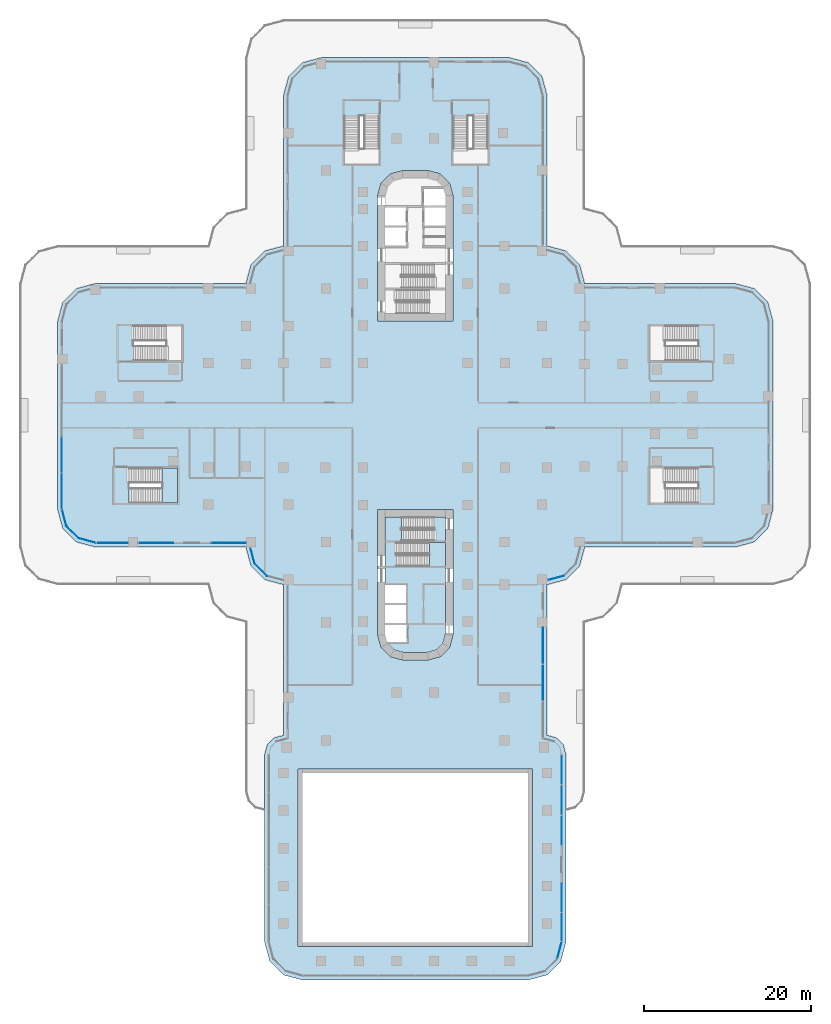
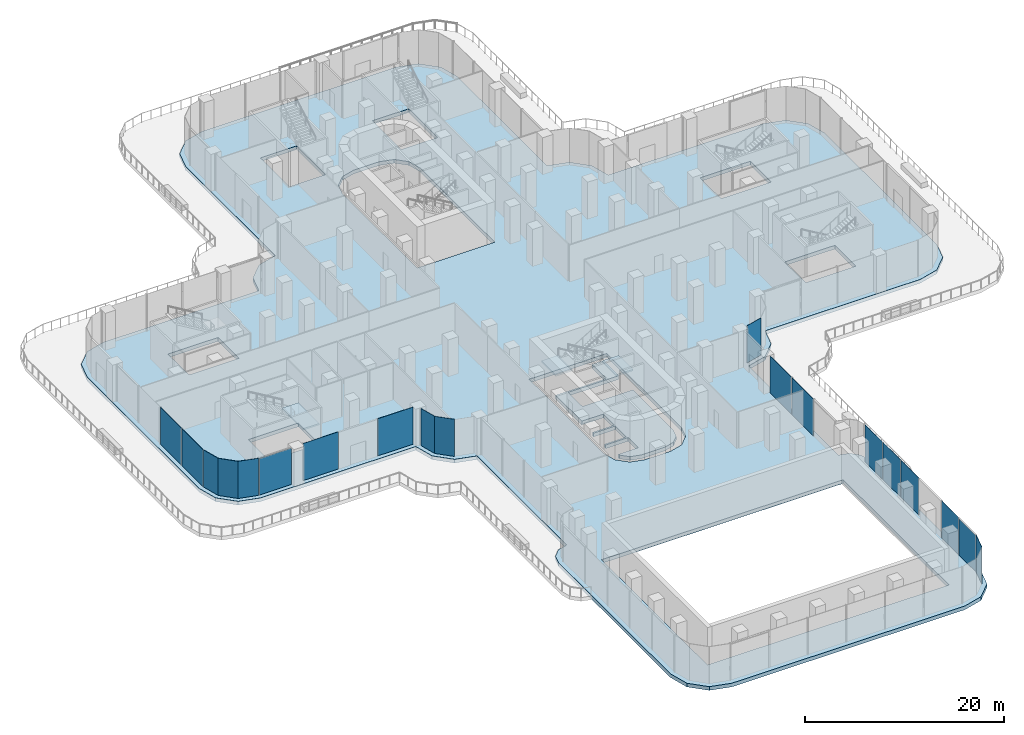
# One storey, part 11 of 27: 19 plates, 5 slabs, 14 elements without a shape of their own.
"""IFC4 building model written with IfcOpenShell, lengths in metres."""

from ifc_helpers import new_model, si_unit, direction, frame, origin, place, context, subcontext, project, spatial, polyline, outline, extrude, source, transform, mapped, material, layer, layer_set, type_object, element, aggregate, save


model = new_model("IFC4")

# Units and contexts
model_context = context("Model", 3, precision=1e-05, world=origin(), true_north=direction((0.0, 1.0)))
body_context = subcontext(model_context, "Body", "Model", "MODEL_VIEW")
ifc_project = project(units=[si_unit("LENGTHUNIT", "METRE"), si_unit("AREAUNIT", "SQUARE_METRE"), si_unit("VOLUMEUNIT", "CUBIC_METRE"), si_unit("PLANEANGLEUNIT", "RADIAN"), si_unit("MASSUNIT", "GRAM", prefix="KILO")], contexts=[model_context])

# Site, building, storey
site_placement = place(None, origin())
site = spatial("IfcSite", under=ifc_project, at=site_placement, CompositionType="ELEMENT")
building_placement = place(site_placement, origin())
building = spatial("IfcBuilding", under=site, at=building_placement, Name="Zarbagh Exchange Tower", CompositionType="ELEMENT")
storey_placement = place(building_placement, frame((0.0, 0.0, 17.0)))
storey = spatial("IfcBuildingStorey", under=building, at=storey_placement, Name="L03", CompositionType="ELEMENT", Elevation=17.0)

# Slabs
ifc_material_1 = material(Name="Concrete C50/60", Category="concrete")
ifc_layer_1 = layer(ifc_material_1, 0.449951171875)
ifc_layer_set_1 = layer_set([ifc_layer_1], Name="Core floor slab 450 C50/60")
slab_type_1 = type_object("IfcSlabType", Name="Core floor slab 450 C50/60", PredefinedType="FLOOR", material=ifc_layer_set_1)
slab_1_placement = place(storey_placement, frame((0.0, 0.0, -0.449951171875)))
element("IfcSlab", 1, at=slab_1_placement, inside=storey, type_object=slab_type_1, Name="S16 core S", PredefinedType="FLOOR", context=body_context, shape_type="SweptSolid", body=[
    extrude(outline(polyline([(-2.5341796875, -28.041259765625), (-3.291259765625, -27.2841796875), (-3.340576171875, -27.10009765625), (-1.0, -27.10009765625), (-1.0, -25.050048828125), (-3.60009765625, -25.050048828125), (-3.60009765625, -24.85009765625), (-1.10009765625, -24.85009765625), (-1.10009765625, -22.64990234375), (-3.60009765625, -22.64990234375), (-3.60009765625, -22.449951171875), (-1.10009765625, -22.449951171875), (-1.10009765625, -20.25), (-3.60009765625, -20.25), (-3.60009765625, -15.0), (2.25, -15.0), (2.25, -12.14990234375), (3.60009765625, -12.14990234375), (3.60009765625, -15.199951171875), (-2.25, -15.199951171875), (-2.25, -18.050048828125), (3.60009765625, -18.050048828125), (3.60009765625, -26.131591796875), (3.291259765625, -27.2841796875), (2.5341796875, -28.041259765625), (1.381591796875, -28.35009765625), (-1.381591796875, -28.35009765625), (-2.5341796875, -28.041259765625)])), origin(), (0.0, 0.0, 1.0), 0.449951171875),
])
ifc_layer_2 = layer(ifc_material_1, 0.449951171875)
ifc_layer_set_2 = layer_set([ifc_layer_2], Name="Flat slab 450 C50/60")
slab_type_2 = type_object("IfcSlabType", Name="Flat slab 450 C50/60", PredefinedType="FLOOR", material=ifc_layer_set_2)
slab_2_placement = place(storey_placement, frame((0.0, 0.0, -0.449951171875)))
element("IfcSlab", 2, at=slab_2_placement, inside=storey, type_object=slab_type_2, Name="S4 flat slab", PredefinedType="FLOOR", context=body_context, shape_type="SweptSolid", body=[
    extrude(outline(polyline([(15.75, -66.897216796875), (13.5, -67.5), (-13.5, -67.5), (-15.75, -66.897216796875), (-17.397216796875, -65.25), (-18.0, -63.0), (-18.0, -40.5), (-17.698486328125, -39.375), (-16.875, -38.551513671875), (-15.75, -38.25), (-15.75, -20.25), (-18.0, -19.647216796875), (-19.647216796875, -18.0), (-20.25, -15.75), (-38.25, -15.75), (-40.5, -15.147216796875), (-42.147216796875, -13.5), (-42.75, -11.25), (-42.75, 11.25), (-42.147216796875, 13.5), (-40.5, 15.147216796875), (-38.25, 15.75), (-20.25, 15.75), (-19.647216796875, 18.0), (-18.0, 19.647216796875), (-15.75, 20.25), (-15.75, 38.25), (-15.147216796875, 40.5), (-13.5, 42.147216796875), (-11.25, 42.75), (11.25, 42.75), (13.5, 42.147216796875), (15.147216796875, 40.5), (15.75, 38.25), (15.75, 20.25), (18.0, 19.647216796875), (19.647216796875, 18.0), (20.25, 15.75), (38.25, 15.75), (40.5, 15.147216796875), (42.147216796875, 13.5), (42.75, 11.25), (42.75, -11.25), (42.147216796875, -13.5), (40.5, -15.147216796875), (38.25, -15.75), (20.25, -15.75), (19.647216796875, -18.0), (18.0, -19.647216796875), (15.75, -20.25), (15.75, -38.25), (16.875, -38.551513671875), (17.698486328125, -39.375), (18.0, -40.5), (18.0, -63.0), (17.397216796875, -65.25), (15.75, -66.897216796875)]), holes=[polyline([(-14.0, -63.5), (14.0, -63.5), (14.0, -42.25), (-14.0, -42.25), (-14.0, -63.5)]), polyline([(4.5, 26.25), (4.09814453125, 27.75), (3.0, 28.84814453125), (1.5, 29.25), (-1.5, 29.25), (-3.0, 28.84814453125), (-4.09814453125, 27.75), (-4.5, 26.25), (-4.5, 11.25), (4.5, 11.25), (4.5, 26.25)]), polyline([(1.5, -29.25), (3.0, -28.84814453125), (4.09814453125, -27.75), (4.5, -26.25), (4.5, -11.25), (-4.5, -11.25), (-4.5, -26.25), (-4.09814453125, -27.75), (-3.0, -28.84814453125), (-1.5, -29.25), (1.5, -29.25)]), polyline([(-34.199951171875, -6.300048828125), (-34.199951171875, -10.5), (-28.39990234375, -10.5), (-28.39990234375, -6.300048828125), (-34.199951171875, -6.300048828125)]), polyline([(28.0, -10.5), (33.800048828125, -10.5), (33.800048828125, -6.300048828125), (28.0, -6.300048828125), (28.0, -10.5)]), polyline([(-27.89990234375, 10.699951171875), (-33.699951171875, 10.699951171875), (-33.699951171875, 6.5), (-27.89990234375, 6.5), (-27.89990234375, 10.699951171875)]), polyline([(33.800048828125, 6.5), (33.800048828125, 10.699951171875), (28.0, 10.699951171875), (28.0, 6.5), (33.800048828125, 6.5)]), polyline([(-4.300048828125, 30.0), (-4.300048828125, 35.800048828125), (-8.5, 35.800048828125), (-8.5, 30.0), (-4.300048828125, 30.0)]), polyline([(8.699951171875, 30.0), (8.699951171875, 35.800048828125), (4.5, 35.800048828125), (4.5, 30.0), (8.699951171875, 30.0)])]), origin(), (0.0, 0.0, 1.0), 0.449951171875),
])

# Stair, slab
ifc_material_2 = material(Name="Concrete C40/50", Category="concrete")
stair_type = type_object("IfcStairType", Name="Exit stair two-flight half-turn", PredefinedType="HALF_TURN_STAIR", material=ifc_material_2)
stair_1_placement = place(storey_placement, origin())
stair_1 = element("IfcStair", 3, at=stair_1_placement, inside=storey, type_object=stair_type, Name="exit stair ST3", PredefinedType="HALF_TURN_STAIR")
ifc_layer_3 = layer(ifc_material_2, 0.199951171875)
ifc_layer_set_3 = layer_set([ifc_layer_3], Name="Stair landing 200 mm")
slab_type_3 = type_object("IfcSlabType", Name="Stair landing 200 mm", PredefinedType="LANDING", material=ifc_layer_set_3)
slab_3_placement = place(storey_placement, frame((0.0, 0.0, 2.300048828125)))
slab_3 = element("IfcSlab", 4, at=slab_3_placement, type_object=slab_type_3, Name="ST3 landing 1", PredefinedType="LANDING", context=body_context, shape_type="SweptSolid", body=[
    extrude(outline(polyline([(1.669921875, -18.050048828125), (3.60009765625, -18.050048828125), (3.60009765625, -15.199951171875), (1.669921875, -15.199951171875), (1.669921875, -18.050048828125)])), origin(), (0.0, 0.0, 1.0), 0.199951171875),
])
aggregate(stair_1, [slab_3])

stair_2_placement = place(storey_placement, origin())
stair_2 = element("IfcStair", 5, at=stair_2_placement, inside=storey, type_object=stair_type, Name="exit stair ST4", PredefinedType="HALF_TURN_STAIR")
slab_4_placement = place(storey_placement, frame((0.0, 0.0, 2.300048828125)))
slab_4 = element("IfcSlab", 6, at=slab_4_placement, type_object=slab_type_3, Name="ST4 landing 1", PredefinedType="LANDING", context=body_context, shape_type="SweptSolid", body=[
    extrude(outline(polyline([(-1.669921875, -12.14990234375), (-3.60009765625, -12.14990234375), (-3.60009765625, -15.0), (-1.669921875, -15.0), (-1.669921875, -12.14990234375)])), origin(), (0.0, 0.0, 1.0), 0.199951171875),
])
aggregate(stair_2, [slab_4])

stair_3_placement = place(storey_placement, origin())
stair_3 = element("IfcStair", 7, at=stair_3_placement, inside=storey, type_object=stair_type, Name="exit stair PS4", PredefinedType="HALF_TURN_STAIR")
slab_5_placement = place(storey_placement, frame((0.0, 0.0, 2.300048828125)))
slab_5 = element("IfcSlab", 8, at=slab_5_placement, type_object=slab_type_3, Name="PS4 landing 1", PredefinedType="LANDING", context=body_context, shape_type="SweptSolid", body=[
    extrude(outline(polyline([(-30.280029296875, -10.5), (-28.39990234375, -10.5), (-28.39990234375, -6.300048828125), (-30.280029296875, -6.300048828125), (-30.280029296875, -10.5)])), origin(), (0.0, 0.0, 1.0), 0.199951171875),
])
aggregate(stair_3, [slab_5])

# Curtain wall, plate
ifc_material_3 = material(Name="Anodised aluminium frame and glazing", Category="aluminium")
curtain_wall_type_1 = type_object("IfcCurtainWallType", Name="CWD Exchange hall wall glazing", PredefinedType="NOTDEFINED", material=ifc_material_3)
curtain_wall_1_placement = place(storey_placement, origin())
curtain_wall_1 = element("IfcCurtainWall", 9, at=curtain_wall_1_placement, inside=storey, type_object=curtain_wall_type_1, Name="CWD03 curtain wall", PredefinedType="NOTDEFINED")
ifc_material_4 = material(Name="Low-e double glazed unit, 6+12+6 mm")
ifc_layer_4 = layer(ifc_material_4, 0.035888671875)
ifc_layer_set_4 = layer_set([ifc_layer_4], Name="PAD Glazing panel, Low-e double glazed unit, 6+12+6 mm")
plate_type_1 = type_object("IfcPlateType", Name="PAD Glazing panel, Low-e double glazed unit, 6+12+6 mm", PredefinedType="CURTAIN_PANEL", material=ifc_layer_set_4)
shared_shape_1 = source(origin(), body_context, "Body", "SweptSolid", [
    extrude(outline(polyline([(0.0, -0.01806640625), (2.129638671875, -0.01806640625), (2.129638671875, 0.01806640625), (0.0, 0.01806640625), (0.0, -0.01806640625)])), origin(), (0.0, 0.0, 1.0), 4.550048828125),
])
placement = place(storey_placement, origin())
plate_1 = element("IfcPlate", 10, at=placement, type_object=plate_type_1, Name="CWD03 glazing panel 1.1", PredefinedType="CURTAIN_PANEL", context=body_context, shape_type="MappedRepresentation", body=[
    mapped(shared_shape_1, transform((16.94873046875, -64.9912109375, 0.0), x_axis=(0.258824779902, 0.965924289636, 0.0), y_axis=(-0.965924289636, 0.258824779902, 0.0), z_axis=(0.0, 0.0, 1.0))),
])
aggregate(curtain_wall_1, [plate_1])

curtain_wall_type_2 = type_object("IfcCurtainWallType", Name="CWC Podium garden-wall glazing", PredefinedType="NOTDEFINED", material=ifc_material_3)
curtain_wall_2_placement = place(storey_placement, origin())
curtain_wall_2 = element("IfcCurtainWall", 11, at=curtain_wall_2_placement, inside=storey, type_object=curtain_wall_type_2, Name="CWC179 curtain wall", PredefinedType="NOTDEFINED")
ifc_layer_5 = layer(ifc_material_4, 0.031982421875)
ifc_layer_set_5 = layer_set([ifc_layer_5], Name="PAC Glazing panel, Low-e double glazed unit, 6+12+6 mm")
plate_type_2 = type_object("IfcPlateType", Name="PAC Glazing panel, Low-e double glazed unit, 6+12+6 mm", PredefinedType="CURTAIN_PANEL", material=ifc_layer_set_5)
shared_shape_2 = source(origin(), body_context, "Body", "SweptSolid", [
    extrude(outline(polyline([(0.0, -0.01611328125), (2.049560546875, -0.01611328125), (2.049560546875, 0.01611328125), (0.0, 0.01611328125), (0.0, -0.01611328125)])), origin(), (0.0, 0.0, 1.0), 4.550048828125),
])
plate_2 = element("IfcPlate", 12, at=placement, type_object=plate_type_2, Name="CWC179 glazing panel 1.1", PredefinedType="CURTAIN_PANEL", context=body_context, shape_type="MappedRepresentation", body=[
    mapped(shared_shape_2, transform((-42.229248046875, -11.261474609375, 0.0), x_axis=(0.258824779902, -0.965924289636, 0.0), y_axis=(0.965924289636, 0.258824779902, 0.0), z_axis=(0.0, 0.0, 1.0))),
])
aggregate(curtain_wall_2, [plate_2])

curtain_wall_3_placement = place(storey_placement, origin())
curtain_wall_3 = element("IfcCurtainWall", 13, at=curtain_wall_3_placement, inside=storey, type_object=curtain_wall_type_2, Name="CWC180 curtain wall", PredefinedType="NOTDEFINED")
shared_shape_3 = source(origin(), body_context, "Body", "SweptSolid", [
    extrude(outline(polyline([(0.0, -0.01611328125), (2.061279296875, -0.01611328125), (2.061279296875, 0.01611328125), (0.0, 0.01611328125), (0.0, -0.01611328125)])), origin(), (0.0, 0.0, 1.0), 4.550048828125),
])
plate_3 = element("IfcPlate", 14, at=placement, type_object=plate_type_2, Name="CWC180 glazing panel 1.1", PredefinedType="CURTAIN_PANEL", context=body_context, shape_type="MappedRepresentation", body=[
    mapped(shared_shape_3, transform((-41.69873046875, -13.2412109375, 0.0), x_axis=(0.707106781187, -0.707106781187, 0.0), y_axis=(0.707106781187, 0.707106781187, 0.0), z_axis=(0.0, 0.0, 1.0))),
])
aggregate(curtain_wall_3, [plate_3])

curtain_wall_4_placement = place(storey_placement, origin())
curtain_wall_4 = element("IfcCurtainWall", 15, at=curtain_wall_4_placement, inside=storey, type_object=curtain_wall_type_2, Name="CWC184 curtain wall", PredefinedType="NOTDEFINED")
plate_4 = element("IfcPlate", 16, at=placement, type_object=plate_type_2, Name="CWC184 glazing panel 1.1", PredefinedType="CURTAIN_PANEL", context=body_context, shape_type="MappedRepresentation", body=[
    mapped(shared_shape_3, transform((-19.19873046875, -17.7412109375, 0.0), x_axis=(0.707106781187, -0.707106781187, 0.0), y_axis=(0.707106781187, 0.707106781187, 0.0), z_axis=(0.0, 0.0, 1.0))),
])
aggregate(curtain_wall_4, [plate_4])

curtain_wall_5_placement = place(storey_placement, origin())
curtain_wall_5 = element("IfcCurtainWall", 17, at=curtain_wall_5_placement, inside=storey, type_object=curtain_wall_type_2, Name="CWC147 curtain wall", PredefinedType="NOTDEFINED")
shared_shape_4 = source(origin(), body_context, "Body", "SweptSolid", [
    extrude(outline(polyline([(0.0, -0.01611328125), (1.93994140625, -0.01611328125), (1.93994140625, 0.01611328125), (0.0, 0.01611328125), (0.0, -0.01611328125)])), origin(), (0.0, 0.0, 1.0), 4.550048828125),
])
plate_5 = element("IfcPlate", 18, at=placement, type_object=plate_type_2, Name="CWC147 glazing panel 1.1", PredefinedType="CURTAIN_PANEL", context=body_context, shape_type="MappedRepresentation", body=[
    mapped(shared_shape_4, transform((15.867431640625, -19.700927734375, 0.0), x_axis=(0.965924289636, 0.258824779902, 0.0), y_axis=(-0.258824779902, 0.965924289636, 0.0), z_axis=(0.0, 0.0, 1.0))),
])
aggregate(curtain_wall_5, [plate_5])

curtain_wall_6_placement = place(storey_placement, origin())
curtain_wall_6 = element("IfcCurtainWall", 19, at=curtain_wall_6_placement, inside=storey, type_object=curtain_wall_type_2, Name="CWC183 curtain wall", PredefinedType="NOTDEFINED")
plate_6 = element("IfcPlate", 20, at=placement, type_object=plate_type_2, Name="CWC183 glazing panel 1.1", PredefinedType="CURTAIN_PANEL", context=body_context, shape_type="MappedRepresentation", body=[
    mapped(shared_shape_4, transform((-19.700927734375, -15.867431640625, 0.0), x_axis=(0.258824779902, -0.965924289636, 0.0), y_axis=(0.965924289636, 0.258824779902, 0.0), z_axis=(0.0, 0.0, 1.0))),
])
aggregate(curtain_wall_6, [plate_6])

curtain_wall_7_placement = place(storey_placement, origin())
curtain_wall_7 = element("IfcCurtainWall", 21, at=curtain_wall_7_placement, inside=storey, type_object=curtain_wall_type_2, Name="CWC181 curtain wall", PredefinedType="NOTDEFINED")
shared_shape_5 = source(origin(), body_context, "Body", "SweptSolid", [
    extrude(outline(polyline([(0.0, -0.01611328125), (2.129638671875, -0.01611328125), (2.129638671875, 0.01611328125), (0.0, 0.01611328125), (0.0, -0.01611328125)])), origin(), (0.0, 0.0, 1.0), 4.550048828125),
])
plate_7 = element("IfcPlate", 22, at=placement, type_object=plate_type_2, Name="CWC181 glazing panel 1.1", PredefinedType="CURTAIN_PANEL", context=body_context, shape_type="MappedRepresentation", body=[
    mapped(shared_shape_5, transform((-40.2412109375, -14.69873046875, 0.0), x_axis=(0.965924289636, -0.258824779902, 0.0), y_axis=(0.258824779902, 0.965924289636, 0.0), z_axis=(0.0, 0.0, 1.0))),
])
aggregate(curtain_wall_7, [plate_7])

# Curtain wall, plates
curtain_wall_8_placement = place(storey_placement, origin())
curtain_wall_8 = element("IfcCurtainWall", 23, at=curtain_wall_8_placement, inside=storey, type_object=curtain_wall_type_2, Name="CWC182 curtain wall", PredefinedType="NOTDEFINED")
shared_shape_6 = source(origin(), body_context, "Body", "SweptSolid", [
    extrude(outline(polyline([(0.0, -0.01611328125), (3.714111328125, -0.01611328125), (3.714111328125, 0.01611328125), (0.0, 0.01611328125), (0.0, -0.01611328125)])), origin(), (0.0, 0.0, 1.0), 4.469970703125),
])
plate_8 = element("IfcPlate", 24, at=placement, type_object=plate_type_2, Name="CWC182 glazing panel 1.1", PredefinedType="CURTAIN_PANEL", context=body_context, shape_type="MappedRepresentation", body=[
    mapped(shared_shape_6, transform((-38.104248046875, -15.25, 0.0), x_axis=(1.0, 0.0, 0.0), y_axis=(0.0, 1.0, 0.0), z_axis=(0.0, 0.0, 1.0))),
])
shared_shape_7 = source(origin(), body_context, "Body", "SweptSolid", [
    extrude(outline(polyline([(0.0, -0.01611328125), (4.080078125, -0.01611328125), (4.080078125, 0.01611328125), (0.0, 0.01611328125), (0.0, -0.01611328125)])), origin(), (0.0, 0.0, 1.0), 4.550048828125),
])
plate_9 = element("IfcPlate", 25, at=placement, type_object=plate_type_2, Name="CWC182 glazing panel 2.1", PredefinedType="CURTAIN_PANEL", context=body_context, shape_type="MappedRepresentation", body=[
    mapped(shared_shape_7, transform((-33.030029296875, -15.25, 0.0), x_axis=(1.0, 0.0, 0.0), y_axis=(0.0, 1.0, 0.0), z_axis=(0.0, 0.0, 1.0))),
])
plate_10 = element("IfcPlate", 26, at=placement, type_object=plate_type_2, Name="CWC182 glazing panel 3.1", PredefinedType="CURTAIN_PANEL", context=body_context, shape_type="MappedRepresentation", body=[
    mapped(shared_shape_7, transform((-24.369873046875, -15.25, 0.0), x_axis=(1.0, 0.0, 0.0), y_axis=(0.0, 1.0, 0.0), z_axis=(0.0, 0.0, 1.0))),
])
aggregate(curtain_wall_8, [plate_8, plate_9, plate_10])

curtain_wall_9_placement = place(storey_placement, origin())
curtain_wall_9 = element("IfcCurtainWall", 27, at=curtain_wall_9_placement, inside=storey, type_object=curtain_wall_type_1, Name="CWD14 curtain wall", PredefinedType="NOTDEFINED")
shared_shape_8 = source(origin(), body_context, "Body", "SweptSolid", [
    extrude(outline(polyline([(0.0, -0.01806640625), (3.38720703125, -0.01806640625), (3.38720703125, 0.01806640625), (0.0, 0.01806640625), (0.0, -0.01806640625)])), origin(), (0.0, 0.0, 1.0), 4.469970703125),
])
plate_11 = element("IfcPlate", 28, at=placement, type_object=plate_type_1, Name="CWD14 glazing panel 1.1", PredefinedType="CURTAIN_PANEL", context=body_context, shape_type="MappedRepresentation", body=[
    mapped(shared_shape_8, transform((17.5, -62.854248046875, 0.0), x_axis=(0.0, 1.0, 0.0), y_axis=(-1.0, 0.0, 0.0), z_axis=(0.0, 0.0, 1.0))),
])
shared_shape_9 = source(origin(), body_context, "Body", "SweptSolid", [
    extrude(outline(polyline([(0.0, -0.01806640625), (3.38720703125, -0.01806640625), (3.38720703125, 0.01806640625), (0.0, 0.01806640625), (0.0, -0.01806640625)])), origin(), (0.0, 0.0, 1.0), 4.550048828125),
])
plate_12 = element("IfcPlate", 29, at=placement, type_object=plate_type_1, Name="CWD14 glazing panel 1.2", PredefinedType="CURTAIN_PANEL", context=body_context, shape_type="MappedRepresentation", body=[
    mapped(shared_shape_9, transform((17.5, -59.386962890625, 0.0), x_axis=(0.0, 1.0, 0.0), y_axis=(-1.0, 0.0, 0.0), z_axis=(0.0, 0.0, 1.0))),
])
shared_shape_10 = source(origin(), body_context, "Body", "SweptSolid", [
    extrude(outline(polyline([(0.0, -0.01806640625), (3.564697265625, -0.01806640625), (3.564697265625, 0.01806640625), (0.0, 0.01806640625), (0.0, -0.01806640625)])), origin(), (0.0, 0.0, 1.0), 4.550048828125),
])
plate_13 = element("IfcPlate", 30, at=placement, type_object=plate_type_1, Name="CWD14 glazing panel 2.1", PredefinedType="CURTAIN_PANEL", context=body_context, shape_type="MappedRepresentation", body=[
    mapped(shared_shape_10, transform((17.5, -51.419921875, 0.0), x_axis=(0.0, 1.0, 0.0), y_axis=(-1.0, 0.0, 0.0), z_axis=(0.0, 0.0, 1.0))),
])
plate_14 = element("IfcPlate", 31, at=placement, type_object=plate_type_1, Name="CWD14 glazing panel 2.2", PredefinedType="CURTAIN_PANEL", context=body_context, shape_type="MappedRepresentation", body=[
    mapped(shared_shape_10, transform((17.5, -47.775146484375, 0.0), x_axis=(0.0, 1.0, 0.0), y_axis=(-1.0, 0.0, 0.0), z_axis=(0.0, 0.0, 1.0))),
])
plate_15 = element("IfcPlate", 32, at=placement, type_object=plate_type_1, Name="CWD14 glazing panel 2.3", PredefinedType="CURTAIN_PANEL", context=body_context, shape_type="MappedRepresentation", body=[
    mapped(shared_shape_10, transform((17.5, -44.130615234375, 0.0), x_axis=(0.0, 1.0, 0.0), y_axis=(-1.0, 0.0, 0.0), z_axis=(0.0, 0.0, 1.0))),
])
aggregate(curtain_wall_9, [plate_11, plate_12, plate_13, plate_14, plate_15])

curtain_wall_10_placement = place(storey_placement, origin())
curtain_wall_10 = element("IfcCurtainWall", 33, at=curtain_wall_10_placement, inside=storey, type_object=curtain_wall_type_2, Name="CWC146 curtain wall", PredefinedType="NOTDEFINED")
shared_shape_11 = source(origin(), body_context, "Body", "SweptSolid", [
    extrude(outline(polyline([(0.0, -0.01611328125), (4.33447265625, -0.01611328125), (4.33447265625, 0.01611328125), (0.0, 0.01611328125), (0.0, -0.01611328125)])), origin(), (0.0, 0.0, 1.0), 4.550048828125),
])
plate_16 = element("IfcPlate", 34, at=placement, type_object=plate_type_2, Name="CWC146 glazing panel 1.2", PredefinedType="CURTAIN_PANEL", context=body_context, shape_type="MappedRepresentation", body=[
    mapped(shared_shape_11, transform((15.25, -34.13916015625, 0.0), x_axis=(0.0, 1.0, 0.0), y_axis=(-1.0, 0.0, 0.0), z_axis=(0.0, 0.0, 1.0))),
])
plate_17 = element("IfcPlate", 35, at=placement, type_object=plate_type_2, Name="CWC146 glazing panel 1.3", PredefinedType="CURTAIN_PANEL", context=body_context, shape_type="MappedRepresentation", body=[
    mapped(shared_shape_11, transform((15.25, -29.724609375, 0.0), x_axis=(0.0, 1.0, 0.0), y_axis=(-1.0, 0.0, 0.0), z_axis=(0.0, 0.0, 1.0))),
])
aggregate(curtain_wall_10, [plate_16, plate_17])

curtain_wall_11_placement = place(storey_placement, origin())
curtain_wall_11 = element("IfcCurtainWall", 36, at=curtain_wall_11_placement, inside=storey, type_object=curtain_wall_type_2, Name="CWC178 curtain wall", PredefinedType="NOTDEFINED")
shared_shape_12 = source(origin(), body_context, "Body", "SweptSolid", [
    extrude(outline(polyline([(0.0, -0.01611328125), (4.243408203125, -0.01611328125), (4.243408203125, 0.01611328125), (0.0, 0.01611328125), (0.0, -0.01611328125)])), origin(), (0.0, 0.0, 1.0), 4.550048828125),
])
plate_18 = element("IfcPlate", 37, at=placement, type_object=plate_type_2, Name="CWC178 glazing panel 1.3", PredefinedType="CURTAIN_PANEL", context=body_context, shape_type="MappedRepresentation", body=[
    mapped(shared_shape_12, transform((-42.25, -2.6171875, 0.0), x_axis=(0.0, -1.0, 0.0), y_axis=(1.0, 0.0, 0.0), z_axis=(0.0, 0.0, 1.0))),
])
plate_19 = element("IfcPlate", 38, at=placement, type_object=plate_type_2, Name="CWC178 glazing panel 1.4", PredefinedType="CURTAIN_PANEL", context=body_context, shape_type="MappedRepresentation", body=[
    mapped(shared_shape_12, transform((-42.25, -6.940673828125, 0.0), x_axis=(0.0, -1.0, 0.0), y_axis=(1.0, 0.0, 0.0), z_axis=(0.0, 0.0, 1.0))),
])
aggregate(curtain_wall_11, [plate_18, plate_19])

save(model, "model.ifc")
